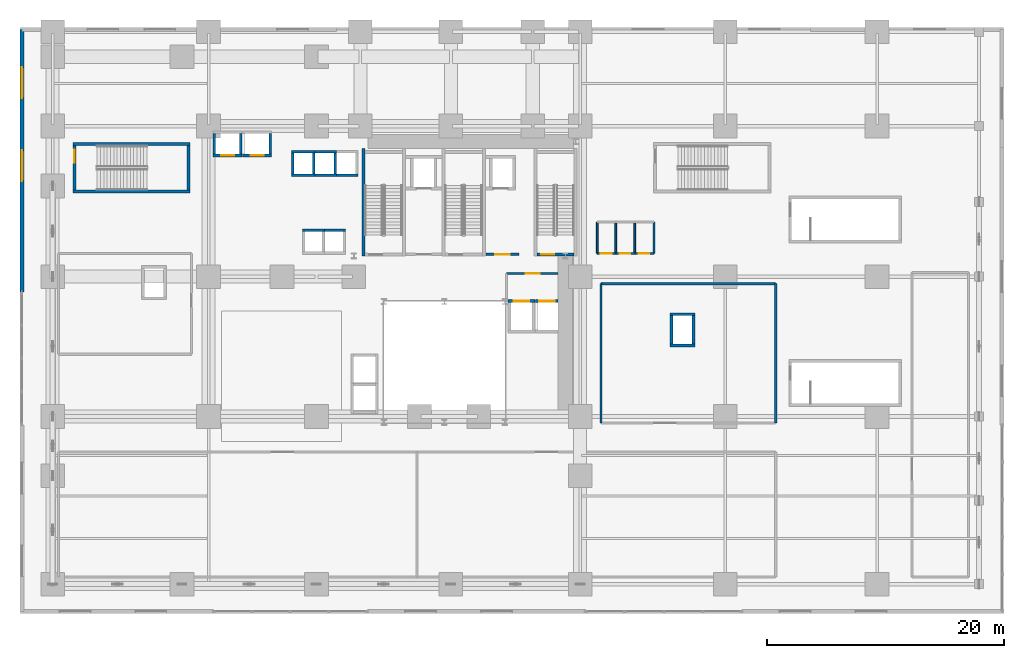
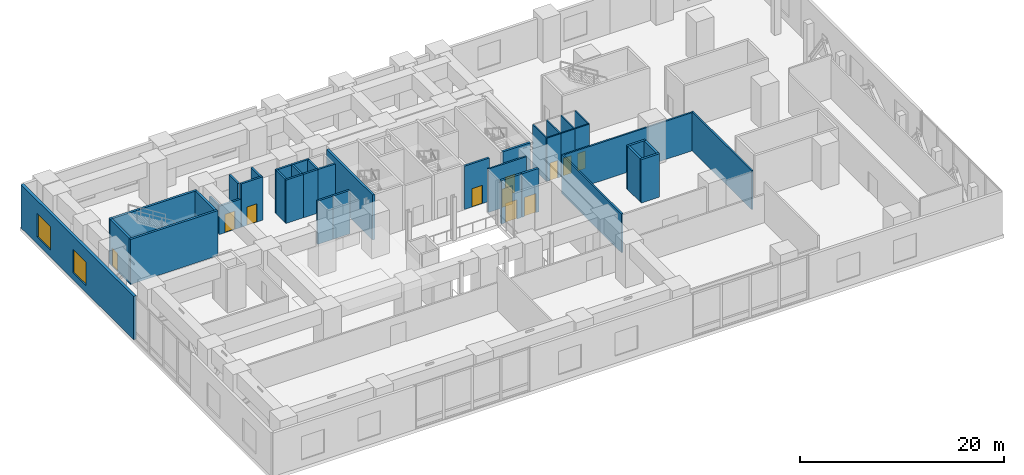
# One storey, part 12 of 17: 40 walls, 11 doors, 2 windows, 13 openings.
"""IFC4 building model written with IfcOpenShell, lengths in metres."""

from ifc_helpers import new_model, si_unit, direction, frame, frame_2d, origin, place, context, subcontext, project, spatial, rectangle, extrude, source, transform, mapped, material, layer, layer_set, type_object, element, fill, save


model = new_model("IFC4")

# Units and contexts
model_context = context("Model", 3, precision=1e-05, world=origin(), true_north=direction((0.0, 1.0)))
body_context = subcontext(model_context, "Body", "Model", "MODEL_VIEW")
ifc_project = project(units=[si_unit("LENGTHUNIT", "METRE"), si_unit("AREAUNIT", "SQUARE_METRE"), si_unit("VOLUMEUNIT", "CUBIC_METRE"), si_unit("PLANEANGLEUNIT", "RADIAN"), si_unit("MASSUNIT", "GRAM", prefix="KILO")], contexts=[model_context])

# Site, building, storey
site_placement = place(None, origin())
site = spatial("IfcSite", under=ifc_project, at=site_placement, CompositionType="ELEMENT")
building_placement = place(site_placement, origin())
building = spatial("IfcBuilding", under=site, at=building_placement, Name="Vardaveli Station Tower", CompositionType="ELEMENT")
storey_placement = place(building_placement, frame((0.0, 0.0, 11.39990234375)))
storey = spatial("IfcBuildingStorey", under=building, at=storey_placement, Name="L03", CompositionType="ELEMENT", Elevation=11.39990234375)

# Wall, openings, windows
ifc_material_1 = material(Name="Precast concrete C45/55", Category="concrete")
ifc_layer_1 = layer(ifc_material_1, 0.320068359375, Name="Precast concrete C45/55")
ifc_layer_set_1 = layer_set([ifc_layer_1], Name="Precast concrete C45/55")
wall_type_1 = type_object("IfcWallType", Name="WAL-EXT-STONE-320", PredefinedType="SOLIDWALL", material=ifc_layer_set_1)
shared_shape_1 = source(origin(), body_context, "Body", "SweptSolid", [
    extrude(rectangle(XDim=22.14990234375, YDim=0.320068359375, at=frame_2d((11.074951171875, 0.0))), origin(), (0.0, 0.0, 1.0), 5.2001953125),
])
wall_1_placement = place(storey_placement, frame((0.64990234375, 49.75, 0.0), z_axis=(0.0, 0.0, 1.0), x_axis=(0.0, -1.0, 0.0)))
wall_1 = element("IfcWall", 1, at=wall_1_placement, inside=storey, type_object=wall_type_1, Name="EW-L03-W3", PredefinedType="SOLIDWALL", context=body_context, shape_type="MappedRepresentation", body=[
    mapped(shared_shape_1, transform((0.0, 0.0, 0.0), scale=1.0)),
])
shared_shape_2 = source(origin(), body_context, "Body", "SweptSolid", [
    extrude(rectangle(XDim=2.60009765625, YDim=2.800048828125, at=frame_2d((1.300048828125, 1.39990234375))), frame((0.0, 0.169921875, 0.0), z_axis=(0.0, -1.0, 0.0), x_axis=(1.0, 0.0, 0.0)), (0.0, 0.0, 1.0), 0.340087890625),
])
opening_1_placement = place(wall_1_placement, frame((3.199951171875, 0.0, 0.85009765625)))
opening_1 = element("IfcOpeningElement", 2, at=opening_1_placement, cuts=wall_1, Name="Opening W-02", PredefinedType="OPENING", context=body_context, shape_type="MappedRepresentation", body=[
    mapped(shared_shape_2, transform((0.0, 0.0, 0.0), scale=1.0)),
])
opening_2_placement = place(wall_1_placement, frame((10.199951171875, 0.0, 0.85009765625)))
opening_2 = element("IfcOpeningElement", 3, at=opening_2_placement, cuts=wall_1, Name="Opening W-02", PredefinedType="OPENING", context=body_context, shape_type="MappedRepresentation", body=[
    mapped(shared_shape_2, transform((0.0, 0.0, 0.0), scale=1.0)),
])
ifc_material_2 = material(Name="Low-E solar-control glass", Category="glass")
window_type = type_object("IfcWindowType", Name="WIN-POD-2600x2800", PartitioningType="SINGLE_PANEL", PredefinedType="WINDOW", material=ifc_material_2)
shared_shape_3 = source(origin(), body_context, "Body", "SweptSolid", [
    extrude(rectangle(XDim=2.60009765625, YDim=2.800048828125, at=frame_2d((1.300048828125, 1.39990234375))), frame((0.0, 0.030029296875, 0.0), z_axis=(0.0, -1.0, 0.0), x_axis=(1.0, 0.0, 0.0)), (0.0, 0.0, 1.0), 0.06005859375),
])
window_1_placement = place(opening_1_placement, origin())
window_1 = element("IfcWindow", 4, at=window_1_placement, inside=storey, type_object=window_type, Name="WN-L03-W3A", OverallHeight=2.800048828125, OverallWidth=2.60009765625, PartitioningType="SINGLE_PANEL", PredefinedType="WINDOW", context=body_context, shape_type="MappedRepresentation", body=[
    mapped(shared_shape_3, transform((0.0, 0.0, 0.0), scale=1.0)),
])
fill(opening_1, window_1)
window_2_placement = place(opening_2_placement, origin())
window_2 = element("IfcWindow", 5, at=window_2_placement, inside=storey, type_object=window_type, Name="WN-L03-W3B", OverallHeight=2.800048828125, OverallWidth=2.60009765625, PartitioningType="SINGLE_PANEL", PredefinedType="WINDOW", context=body_context, shape_type="MappedRepresentation", body=[
    mapped(shared_shape_3, transform((0.0, 0.0, 0.0), scale=1.0)),
])
fill(opening_2, window_2)

# Wall
ifc_material_3 = material(Name="Concrete C40/50", Category="concrete")
ifc_layer_2 = layer(ifc_material_3, 0.25, Name="Concrete C40/50")
ifc_layer_set_2 = layer_set([ifc_layer_2], Name="Concrete C40/50")
wall_type_2 = type_object("IfcWallType", Name="WAL-SHAFT-250", PredefinedType="SOLIDWALL", material=ifc_layer_set_2)
shared_shape_4 = source(origin(), body_context, "Body", "SweptSolid", [
    extrude(rectangle(XDim=9.050048828125, YDim=0.25, at=frame_2d((4.52490234375, 0.0))), origin(), (0.0, 0.0, 1.0), 5.400146484375),
])
wall_2_placement = place(storey_placement, frame((29.47509765625, 30.64990234375, 0.0), z_axis=(0.0, 0.0, 1.0), x_axis=(0.0, 1.0, 0.0)))
element("IfcWall", 6, at=wall_2_placement, inside=storey, type_object=wall_type_2, Name="W-L03-ST-1W", PredefinedType="SOLIDWALL", context=body_context, shape_type="MappedRepresentation", body=[
    mapped(shared_shape_4, transform((0.0, 0.0, 0.0), scale=1.0)),
])

# Wall, opening, door
shared_shape_5 = source(origin(), body_context, "Body", "SweptSolid", [
    extrude(rectangle(XDim=3.14990234375, YDim=0.25, at=frame_2d((1.574951171875, 0.0))), origin(), (0.0, 0.0, 1.0), 5.400146484375),
])
wall_3_placement = place(storey_placement, frame((44.10009765625, 30.77490234375, 0.0), z_axis=(0.0, 0.0, 1.0), x_axis=(1.0, 0.0, 0.0)))
wall_3 = element("IfcWall", 7, at=wall_3_placement, inside=storey, type_object=wall_type_2, Name="W-L03-ST-3S", PredefinedType="SOLIDWALL", context=body_context, shape_type="MappedRepresentation", body=[
    mapped(shared_shape_5, transform((0.0, 0.0, 0.0), scale=1.0)),
])
shared_shape_6 = source(origin(), body_context, "Body", "SweptSolid", [
    extrude(rectangle(XDim=1.10009765625, YDim=2.199951171875, at=frame_2d((0.550048828125, 1.10009765625))), frame((0.0, 0.135009765625, 0.0), z_axis=(0.0, -1.0, 0.0), x_axis=(1.0, 0.0, 0.0)), (0.0, 0.0, 1.0), 0.27001953125),
])
opening_3_placement = place(wall_3_placement, frame((0.35009765625, 0.0, 0.0)))
opening_3 = element("IfcOpeningElement", 8, at=opening_3_placement, cuts=wall_3, Name="Opening D-04", PredefinedType="OPENING", context=body_context, shape_type="MappedRepresentation", body=[
    mapped(shared_shape_6, transform((0.0, 0.0, 0.0), scale=1.0)),
])
ifc_material_4 = material(Name="Steel smokeproof fire doorset", Category="steel")
door_type_1 = type_object("IfcDoorType", Name="DR-ST-1100x2200", OperationType="NOTDEFINED", PredefinedType="DOOR", material=ifc_material_4)
shared_shape_7 = source(origin(), body_context, "Body", "SweptSolid", [
    extrude(rectangle(XDim=1.10009765625, YDim=2.199951171875, at=frame_2d((0.550048828125, 1.10009765625))), frame((0.0, 0.02490234375, 0.0), z_axis=(0.0, -1.0, 0.0), x_axis=(1.0, 0.0, 0.0)), (0.0, 0.0, 1.0), 0.050048828125),
])
door_1_placement = place(opening_3_placement, origin())
door_1 = element("IfcDoor", 9, at=door_1_placement, inside=storey, type_object=door_type_1, Name="DST-3-L03", OperationType="SINGLE_SWING_LEFT", OverallHeight=2.199951171875, OverallWidth=1.10009765625, PredefinedType="DOOR", context=body_context, shape_type="MappedRepresentation", body=[
    mapped(shared_shape_7, transform((0.0, 0.0, 0.0), scale=1.0)),
])
fill(opening_3, door_1)

# Walls
shared_shape_8 = source(origin(), body_context, "Body", "SweptSolid", [
    extrude(rectangle(XDim=9.900146484375, YDim=0.25, at=frame_2d((4.9501953125, 0.0))), origin(), (0.0, 0.0, 1.0), 5.400146484375),
])
for number, where, z_axis, x_axis, name in (
    (10, (4.949951171875, 36.074951171875, 0.0), (0.0, 0.0, 1.0), (1.0, 0.0, 0.0), "W-L03-ST-P1S"),
    (11, (4.949951171875, 40.074951171875, 0.0), (0.0, 0.0, 1.0), (1.0, 0.0, 0.0), "W-L03-ST-P1N"),
):
    element("IfcWall", number, at=place(storey_placement, frame(where, z_axis=z_axis, x_axis=x_axis)), inside=storey, type_object=wall_type_2, Name=name, PredefinedType="SOLIDWALL", context=body_context, shape_type="MappedRepresentation", body=[
        mapped(shared_shape_8, transform((0.0, 0.0, 0.0), scale=1.0)),
    ])
shared_shape_9 = source(origin(), body_context, "Body", "SweptSolid", [
    extrude(rectangle(XDim=3.75, YDim=0.25, at=frame_2d((1.875, 0.0))), origin(), (0.0, 0.0, 1.0), 5.400146484375),
])
wall_4_placement = place(storey_placement, frame((14.72509765625, 36.199951171875, 0.0), z_axis=(0.0, 0.0, 1.0), x_axis=(0.0, 1.0, 0.0)))
element("IfcWall", 12, at=wall_4_placement, inside=storey, type_object=wall_type_2, Name="W-L03-ST-P1E", PredefinedType="SOLIDWALL", context=body_context, shape_type="MappedRepresentation", body=[
    mapped(shared_shape_9, transform((0.0, 0.0, 0.0), scale=1.0)),
])

# Wall, opening, door
wall_5_placement = place(storey_placement, frame((5.074951171875, 36.199951171875, 0.0), z_axis=(0.0, 0.0, 1.0), x_axis=(0.0, 1.0, 0.0)))
wall_5 = element("IfcWall", 13, at=wall_5_placement, inside=storey, type_object=wall_type_2, Name="W-L03-ST-P1W", PredefinedType="SOLIDWALL", context=body_context, shape_type="MappedRepresentation", body=[
    mapped(shared_shape_9, transform((0.0, 0.0, 0.0), scale=1.0)),
])
opening_4_placement = place(wall_5_placement, frame((2.300048828125, 0.0, 0.0)))
opening_4 = element("IfcOpeningElement", 14, at=opening_4_placement, cuts=wall_5, Name="Opening D-04", PredefinedType="OPENING", context=body_context, shape_type="MappedRepresentation", body=[
    mapped(shared_shape_6, transform((0.0, 0.0, 0.0), scale=1.0)),
])
door_2_placement = place(opening_4_placement, origin())
door_2 = element("IfcDoor", 15, at=door_2_placement, inside=storey, type_object=door_type_1, Name="DST-P1-L03", OperationType="SINGLE_SWING_RIGHT", OverallHeight=2.199951171875, OverallWidth=1.10009765625, PredefinedType="DOOR", context=body_context, shape_type="MappedRepresentation", body=[
    mapped(shared_shape_7, transform((0.0, 0.0, 0.0), scale=1.0)),
])
fill(opening_4, door_2)

ifc_layer_3 = layer(ifc_material_3, 0.219970703125, Name="Concrete C40/50")
ifc_layer_set_3 = layer_set([ifc_layer_3], Name="Concrete C40/50")
wall_type_3 = type_object("IfcWallType", Name="WAL-FFLOBBY-220", PredefinedType="SOLIDWALL", material=ifc_layer_set_3)
shared_shape_10 = source(origin(), body_context, "Body", "SweptSolid", [
    extrude(rectangle(XDim=2.800048828125, YDim=0.219970703125, at=frame_2d((1.39990234375, 0.0))), origin(), (0.0, 0.0, 1.0), 5.2001953125),
])
wall_6_placement = place(storey_placement, frame((39.800048828125, 30.780029296875, 0.0), z_axis=(0.0, 0.0, 1.0), x_axis=(1.0, 0.0, 0.0)))
wall_6 = element("IfcWall", 16, at=wall_6_placement, inside=storey, type_object=wall_type_3, Name="W-L03-FFL2S", PredefinedType="SOLIDWALL", context=body_context, shape_type="MappedRepresentation", body=[
    mapped(shared_shape_10, transform((0.0, 0.0, 0.0), scale=1.0)),
])
shared_shape_11 = source(origin(), body_context, "Body", "SweptSolid", [
    extrude(rectangle(XDim=1.199951171875, YDim=2.199951171875, at=frame_2d((0.60009765625, 1.10009765625))), frame((0.0, 0.1201171875, 0.0), z_axis=(0.0, -1.0, 0.0), x_axis=(1.0, 0.0, 0.0)), (0.0, 0.0, 1.0), 0.239990234375),
])
opening_5_placement = place(wall_6_placement, frame((0.800048828125, 0.0, 0.0)))
opening_5 = element("IfcOpeningElement", 17, at=opening_5_placement, cuts=wall_6, Name="Opening D-03", PredefinedType="OPENING", context=body_context, shape_type="MappedRepresentation", body=[
    mapped(shared_shape_11, transform((0.0, 0.0, 0.0), scale=1.0)),
])
door_type_2 = type_object("IfcDoorType", Name="DR-FFL-1200x2200", OperationType="NOTDEFINED", PredefinedType="DOOR", material=ifc_material_4)
shared_shape_12 = source(origin(), body_context, "Body", "SweptSolid", [
    extrude(rectangle(XDim=1.199951171875, YDim=2.199951171875, at=frame_2d((0.60009765625, 1.10009765625))), frame((0.0, 0.02490234375, 0.0), z_axis=(0.0, -1.0, 0.0), x_axis=(1.0, 0.0, 0.0)), (0.0, 0.0, 1.0), 0.050048828125),
])
door_3_placement = place(opening_5_placement, origin())
door_3 = element("IfcDoor", 18, at=door_3_placement, inside=storey, type_object=door_type_2, Name="DFFL2-L03", OperationType="SINGLE_SWING_RIGHT", OverallHeight=2.199951171875, OverallWidth=1.199951171875, PredefinedType="DOOR", context=body_context, shape_type="MappedRepresentation", body=[
    mapped(shared_shape_12, transform((0.0, 0.0, 0.0), scale=1.0)),
])
fill(opening_5, door_3)

# Walls
shared_shape_13 = source(origin(), body_context, "Body", "SweptSolid", [
    extrude(rectangle(XDim=2.400146484375, YDim=0.25, at=frame_2d((1.2001953125, 0.0))), origin(), (0.0, 0.0, 1.0), 5.2001953125),
])
for number, where, z_axis, x_axis, name in (
    (19, (55.47509765625, 23.199951171875, 0.0), (0.0, 0.0, 1.0), (0.0, 1.0, 0.0), "SHW-STN-02-L03-W"),
    (20, (57.324951171875, 23.199951171875, 0.0), (0.0, 0.0, 1.0), (0.0, 1.0, 0.0), "SHW-STN-02-L03-E"),
):
    element("IfcWall", number, at=place(storey_placement, frame(where, z_axis=z_axis, x_axis=x_axis)), inside=storey, type_object=wall_type_2, Name=name, PredefinedType="SOLIDWALL", context=body_context, shape_type="MappedRepresentation", body=[
        mapped(shared_shape_13, transform((0.0, 0.0, 0.0), scale=1.0)),
    ])
shared_shape_14 = source(origin(), body_context, "Body", "SweptSolid", [
    extrude(rectangle(XDim=2.099853515625, YDim=0.25, at=frame_2d((1.0498046875, 0.0))), origin(), (0.0, 0.0, 1.0), 5.2001953125),
])
for number, where, z_axis, x_axis, name in (
    (21, (55.35009765625, 23.074951171875, 0.0), (0.0, 0.0, 1.0), (1.0, 0.0, 0.0), "SHW-STN-02-L03-S"),
    (22, (55.35009765625, 25.72509765625, 0.0), (0.0, 0.0, 1.0), (1.0, 0.0, 0.0), "SHW-STN-02-L03-N"),
):
    element("IfcWall", number, at=place(storey_placement, frame(where, z_axis=z_axis, x_axis=x_axis)), inside=storey, type_object=wall_type_2, Name=name, PredefinedType="SOLIDWALL", context=body_context, shape_type="MappedRepresentation", body=[
        mapped(shared_shape_14, transform((0.0, 0.0, 0.0), scale=1.0)),
    ])

# Wall, opening, door
shared_shape_15 = source(origin(), body_context, "Body", "SweptSolid", [
    extrude(rectangle(XDim=2.43994140625, YDim=0.219970703125, at=frame_2d((1.219970703125, 0.0))), origin(), (0.0, 0.0, 1.0), 3.39208984375),
])
wall_7_placement = place(storey_placement, frame((16.780029296875, 39.114990234375, 0.0), z_axis=(0.0, 0.0, 1.0), x_axis=(1.0, 0.0, 0.0)))
wall_7 = element("IfcWall", 23, at=wall_7_placement, inside=storey, type_object=wall_type_3, Name="SHW-POD-01-L03-S", PredefinedType="SOLIDWALL", context=body_context, shape_type="MappedRepresentation", body=[
    mapped(shared_shape_15, transform((0.0, 0.0, 0.0), scale=1.0)),
])
shared_shape_16 = source(origin(), body_context, "Body", "SweptSolid", [
    extrude(rectangle(XDim=1.10009765625, YDim=2.199951171875, at=frame_2d((0.550048828125, 1.10009765625))), frame((0.0, 0.1201171875, 0.0), z_axis=(0.0, -1.0, 0.0), x_axis=(1.0, 0.0, 0.0)), (0.0, 0.0, 1.0), 0.239990234375),
])
opening_6_placement = place(wall_7_placement, frame((0.669921875, 0.0, 0.0)))
opening_6 = element("IfcOpeningElement", 24, at=opening_6_placement, cuts=wall_7, Name="Opening LD-01", PredefinedType="OPENING", context=body_context, shape_type="MappedRepresentation", body=[
    mapped(shared_shape_16, transform((0.0, 0.0, 0.0), scale=1.0)),
])
ifc_material_5 = material(Name="Brushed stainless steel", Category="steel")
door_type_3 = type_object("IfcDoorType", Name="DR-LD-1100x2200", OperationType="DOUBLE_DOOR_SLIDING", PredefinedType="DOOR", material=ifc_material_5)
door_4_placement = place(opening_6_placement, origin())
door_4 = element("IfcDoor", 25, at=door_4_placement, inside=storey, type_object=door_type_3, Name="LD-POD-01-L03", OperationType="DOUBLE_DOOR_SLIDING", OverallHeight=2.199951171875, OverallWidth=1.10009765625, PredefinedType="DOOR", context=body_context, shape_type="MappedRepresentation", body=[
    mapped(shared_shape_7, transform((0.0, 0.0, 0.0), scale=1.0)),
])
fill(opening_6, door_4)

# Walls
shared_shape_17 = source(origin(), body_context, "Body", "SweptSolid", [
    extrude(rectangle(XDim=1.75, YDim=0.219970703125, at=frame_2d((0.875, 0.0))), origin(), (0.0, 0.0, 1.0), 3.39208984375),
])
wall_8_placement = place(storey_placement, frame((16.889892578125, 39.22509765625, 0.0), z_axis=(0.0, 0.0, 1.0), x_axis=(0.0, 1.0, 0.0)))
element("IfcWall", 26, at=wall_8_placement, inside=storey, type_object=wall_type_3, Name="SHW-POD-01-L03-W", PredefinedType="SOLIDWALL", context=body_context, shape_type="MappedRepresentation", body=[
    mapped(shared_shape_17, transform((0.0, 0.0, 0.0), scale=1.0)),
])
shared_shape_18 = source(origin(), body_context, "Body", "SweptSolid", [
    extrude(rectangle(XDim=1.75, YDim=0.219970703125, at=frame_2d((0.875, 0.0))), origin(), (0.0, 0.0, 1.0), 5.2001953125),
])
for number, where, z_axis, x_axis, name in (
    (27, (19.110107421875, 39.22509765625, 0.0), (0.0, 0.0, 1.0), (0.0, 1.0, 0.0), "SHW-POD-01-L03-E"),
    (28, (21.610107421875, 39.22509765625, 0.0), (0.0, 0.0, 1.0), (0.0, 1.0, 0.0), "SHW-POD-02-L03-E"),
    (29, (23.514892578125, 37.574951171875, 0.0), (0.0, 0.0, 1.0), (0.0, 1.0, 0.0), "SHW-HL1-01-L03-W"),
    (30, (25.284912109375, 37.574951171875, 0.0), (0.0, 0.0, 1.0), (0.0, 1.0, 0.0), "SHW-HL1-01-L03-E"),
    (31, (27.0849609375, 37.574951171875, 0.0), (0.0, 0.0, 1.0), (0.0, 1.0, 0.0), "SHW-HL1-02-L03-E"),
):
    element("IfcWall", number, at=place(storey_placement, frame(where, z_axis=z_axis, x_axis=x_axis)), inside=storey, type_object=wall_type_3, Name=name, PredefinedType="SOLIDWALL", context=body_context, shape_type="MappedRepresentation", body=[
        mapped(shared_shape_18, transform((0.0, 0.0, 0.0), scale=1.0)),
    ])

# Wall, opening, door
shared_shape_19 = source(origin(), body_context, "Body", "SweptSolid", [
    extrude(rectangle(XDim=2.43994140625, YDim=0.219970703125, at=frame_2d((1.219970703125, 0.0))), origin(), (0.0, 0.0, 1.0), 5.2001953125),
])
wall_9_placement = place(storey_placement, frame((19.280029296875, 39.114990234375, 0.0), z_axis=(0.0, 0.0, 1.0), x_axis=(1.0, 0.0, 0.0)))
wall_9 = element("IfcWall", 32, at=wall_9_placement, inside=storey, type_object=wall_type_3, Name="SHW-POD-02-L03-S", PredefinedType="SOLIDWALL", context=body_context, shape_type="MappedRepresentation", body=[
    mapped(shared_shape_19, transform((0.0, 0.0, 0.0), scale=1.0)),
])
opening_7_placement = place(wall_9_placement, frame((0.669921875, 0.0, 0.0)))
opening_7 = element("IfcOpeningElement", 33, at=opening_7_placement, cuts=wall_9, Name="Opening LD-01", PredefinedType="OPENING", context=body_context, shape_type="MappedRepresentation", body=[
    mapped(shared_shape_16, transform((0.0, 0.0, 0.0), scale=1.0)),
])
door_5_placement = place(opening_7_placement, origin())
door_5 = element("IfcDoor", 34, at=door_5_placement, inside=storey, type_object=door_type_3, Name="LD-POD-02-L03", OperationType="DOUBLE_DOOR_SLIDING", OverallHeight=2.199951171875, OverallWidth=1.10009765625, PredefinedType="DOOR", context=body_context, shape_type="MappedRepresentation", body=[
    mapped(shared_shape_7, transform((0.0, 0.0, 0.0), scale=1.0)),
])
fill(opening_7, door_5)

# Walls
shared_shape_20 = source(origin(), body_context, "Body", "SweptSolid", [
    extrude(rectangle(XDim=1.989990234375, YDim=0.219970703125, at=frame_2d((0.9951171875, 0.0))), origin(), (0.0, 0.0, 1.0), 5.2001953125),
])
for number, where, z_axis, x_axis, name in (
    (35, (23.405029296875, 37.465087890625, 0.0), (0.0, 0.0, 1.0), (1.0, 0.0, 0.0), "SHW-HL1-01-L03-S"),
    (36, (23.405029296875, 39.43505859375, 0.0), (0.0, 0.0, 1.0), (1.0, 0.0, 0.0), "SHW-HL1-01-L03-N"),
    (37, (25.205078125, 37.465087890625, 0.0), (0.0, 0.0, 1.0), (1.0, 0.0, 0.0), "SHW-HL1-02-L03-S"),
    (38, (25.205078125, 39.43505859375, 0.0), (0.0, 0.0, 1.0), (1.0, 0.0, 0.0), "SHW-HL1-02-L03-N"),
):
    element("IfcWall", number, at=place(storey_placement, frame(where, z_axis=z_axis, x_axis=x_axis)), inside=storey, type_object=wall_type_3, Name=name, PredefinedType="SOLIDWALL", context=body_context, shape_type="MappedRepresentation", body=[
        mapped(shared_shape_20, transform((0.0, 0.0, 0.0), scale=1.0)),
    ])
shared_shape_21 = source(origin(), body_context, "Body", "SweptSolid", [
    extrude(rectangle(XDim=1.990234375, YDim=0.219970703125, at=frame_2d((0.9951171875, 0.0))), origin(), (0.0, 0.0, 1.0), 5.2001953125),
])
wall_10_placement = place(storey_placement, frame((27.0048828125, 37.465087890625, 0.0), z_axis=(0.0, 0.0, 1.0), x_axis=(1.0, 0.0, 0.0)))
element("IfcWall", 39, at=wall_10_placement, inside=storey, type_object=wall_type_3, Name="SHW-HL1-03-L03-S", PredefinedType="SOLIDWALL", context=body_context, shape_type="MappedRepresentation", body=[
    mapped(shared_shape_21, transform((0.0, 0.0, 0.0), scale=1.0)),
])
shared_shape_22 = source(origin(), body_context, "Body", "SweptSolid", [
    extrude(rectangle(XDim=1.89013671875, YDim=0.219970703125, at=frame_2d((0.945068359375, 0.0))), origin(), (0.0, 0.0, 1.0), 5.2001953125),
])
for number, where, z_axis, x_axis, name in (
    (40, (24.304931640625, 32.81005859375, 0.0), (0.0, 0.0, 1.0), (1.0, 0.0, 0.0), "SHW-SHU-01-L03-N"),
    (41, (26.054931640625, 32.81005859375, 0.0), (0.0, 0.0, 1.0), (1.0, 0.0, 0.0), "SHW-SHU-02-L03-N"),
):
    element("IfcWall", number, at=place(storey_placement, frame(where, z_axis=z_axis, x_axis=x_axis)), inside=storey, type_object=wall_type_3, Name=name, PredefinedType="SOLIDWALL", context=body_context, shape_type="MappedRepresentation", body=[
        mapped(shared_shape_22, transform((0.0, 0.0, 0.0), scale=1.0)),
    ])

# Wall, opening, door
shared_shape_23 = source(origin(), body_context, "Body", "SweptSolid", [
    extrude(rectangle(XDim=2.300048828125, YDim=0.25, at=frame_2d((1.14990234375, 0.0))), origin(), (0.0, 0.0, 1.0), 5.2001953125),
])
wall_11_placement = place(storey_placement, frame((41.64990234375, 26.824951171875, 0.0), z_axis=(0.0, 0.0, 1.0), x_axis=(1.0, 0.0, 0.0)))
wall_11 = element("IfcWall", 42, at=wall_11_placement, inside=storey, type_object=wall_type_2, Name="SHW-SRV-01-L03-N", PredefinedType="SOLIDWALL", context=body_context, shape_type="MappedRepresentation", body=[
    mapped(shared_shape_23, transform((0.0, 0.0, 0.0), scale=1.0)),
])
shared_shape_24 = source(origin(), body_context, "Body", "SweptSolid", [
    extrude(rectangle(XDim=1.300048828125, YDim=2.300048828125, at=frame_2d((0.64990234375, 1.14990234375))), frame((0.0, 0.135009765625, 0.0), z_axis=(0.0, -1.0, 0.0), x_axis=(1.0, 0.0, 0.0)), (0.0, 0.0, 1.0), 0.27001953125),
])
opening_8_placement = place(wall_11_placement, frame((0.5, 0.0, 0.0)))
opening_8 = element("IfcOpeningElement", 43, at=opening_8_placement, cuts=wall_11, Name="Opening LD-03", PredefinedType="OPENING", context=body_context, shape_type="MappedRepresentation", body=[
    mapped(shared_shape_24, transform((0.0, 0.0, 0.0), scale=1.0)),
])
door_type_4 = type_object("IfcDoorType", Name="DR-LD-1300x2300", OperationType="DOUBLE_DOOR_SLIDING", PredefinedType="DOOR", material=ifc_material_5)
shared_shape_25 = source(origin(), body_context, "Body", "SweptSolid", [
    extrude(rectangle(XDim=1.300048828125, YDim=2.300048828125, at=frame_2d((0.64990234375, 1.14990234375))), frame((0.0, 0.02490234375, 0.0), z_axis=(0.0, -1.0, 0.0), x_axis=(1.0, 0.0, 0.0)), (0.0, 0.0, 1.0), 0.050048828125),
])
door_6_placement = place(opening_8_placement, origin())
door_6 = element("IfcDoor", 44, at=door_6_placement, inside=storey, type_object=door_type_4, Name="LD-SRV-01-L03", OperationType="DOUBLE_DOOR_SLIDING", OverallHeight=2.300048828125, OverallWidth=1.300048828125, PredefinedType="DOOR", context=body_context, shape_type="MappedRepresentation", body=[
    mapped(shared_shape_25, transform((0.0, 0.0, 0.0), scale=1.0)),
])
fill(opening_8, door_6)

shared_shape_26 = source(origin(), body_context, "Body", "SweptSolid", [
    extrude(rectangle(XDim=1.89990234375, YDim=0.25, at=frame_2d((0.949951171875, 0.0))), origin(), (0.0, 0.0, 1.0), 5.2001953125),
])
wall_12_placement = place(storey_placement, frame((44.0, 26.824951171875, 0.0), z_axis=(0.0, 0.0, 1.0), x_axis=(1.0, 0.0, 0.0)))
wall_12 = element("IfcWall", 45, at=wall_12_placement, inside=storey, type_object=wall_type_2, Name="SHW-SRV-02-L03-N", PredefinedType="SOLIDWALL", context=body_context, shape_type="MappedRepresentation", body=[
    mapped(shared_shape_26, transform((0.0, 0.0, 0.0), scale=1.0)),
])
opening_9_placement = place(wall_12_placement, frame((0.300048828125, 0.0, 0.0)))
opening_9 = element("IfcOpeningElement", 46, at=opening_9_placement, cuts=wall_12, Name="Opening LD-03", PredefinedType="OPENING", context=body_context, shape_type="MappedRepresentation", body=[
    mapped(shared_shape_24, transform((0.0, 0.0, 0.0), scale=1.0)),
])
door_7_placement = place(opening_9_placement, origin())
door_7 = element("IfcDoor", 47, at=door_7_placement, inside=storey, type_object=door_type_4, Name="LD-SRV-02-L03", OperationType="DOUBLE_DOOR_SLIDING", OverallHeight=2.300048828125, OverallWidth=1.300048828125, PredefinedType="DOOR", context=body_context, shape_type="MappedRepresentation", body=[
    mapped(shared_shape_25, transform((0.0, 0.0, 0.0), scale=1.0)),
])
fill(opening_9, door_7)

# Wall
ifc_material_6 = material(Name="Fire-rated gypsum stud partition")
ifc_layer_4 = layer(ifc_material_6, 0.179931640625, Name="Fire-rated gypsum stud partition")
ifc_layer_set_4 = layer_set([ifc_layer_4], Name="Fire-rated gypsum stud partition")
wall_type_4 = type_object("IfcWallType", Name="WAL-CORR-180", PredefinedType="PARTITIONING", material=ifc_layer_set_4)
shared_shape_27 = source(origin(), body_context, "Body", "SweptSolid", [
    extrude(rectangle(XDim=14.75, YDim=0.179931640625, at=frame_2d((7.375, 0.0))), origin(), (0.0, 0.0, 1.0), 4.592041015625),
])
wall_13_placement = place(storey_placement, frame((49.5, 28.300048828125, 0.0), z_axis=(0.0, 0.0, 1.0), x_axis=(1.0, 0.0, 0.0)))
element("IfcWall", 48, at=wall_13_placement, inside=storey, type_object=wall_type_4, Name="W-L03-MN3-N", PredefinedType="PARTITIONING", context=body_context, shape_type="MappedRepresentation", body=[
    mapped(shared_shape_27, transform((0.0, 0.0, 0.0), scale=1.0)),
])

# Wall, opening, door
shared_shape_28 = source(origin(), body_context, "Body", "SweptSolid", [
    extrude(rectangle(XDim=4.347900390625, YDim=0.179931640625, at=frame_2d((2.173828125, 0.0))), origin(), (0.0, 0.0, 1.0), 5.2001953125),
])
wall_14_placement = place(storey_placement, frame((41.550048828125, 29.14990234375, 0.0), z_axis=(0.0, 0.0, 1.0), x_axis=(1.0, 0.0, 0.0)))
wall_14 = element("IfcWall", 49, at=wall_14_placement, inside=storey, type_object=wall_type_4, Name="W-L03-SVFN", PredefinedType="PARTITIONING", context=body_context, shape_type="MappedRepresentation", body=[
    mapped(shared_shape_28, transform((0.0, 0.0, 0.0), scale=1.0)),
])
shared_shape_29 = source(origin(), body_context, "Body", "SweptSolid", [
    extrude(rectangle(XDim=1.199951171875, YDim=2.199951171875, at=frame_2d((0.60009765625, 1.10009765625))), frame((0.0, 0.10009765625, 0.0), z_axis=(0.0, -1.0, 0.0), x_axis=(1.0, 0.0, 0.0)), (0.0, 0.0, 1.0), 0.199951171875),
])
opening_10_placement = place(wall_14_placement, frame((1.60009765625, 0.0, 0.0)))
opening_10 = element("IfcOpeningElement", 50, at=opening_10_placement, cuts=wall_14, Name="Opening D-03", PredefinedType="OPENING", context=body_context, shape_type="MappedRepresentation", body=[
    mapped(shared_shape_29, transform((0.0, 0.0, 0.0), scale=1.0)),
])
door_8_placement = place(opening_10_placement, origin())
door_8 = element("IfcDoor", 51, at=door_8_placement, inside=storey, type_object=door_type_2, Name="D-L03-SVF", OperationType="SINGLE_SWING_RIGHT", OverallHeight=2.199951171875, OverallWidth=1.199951171875, PredefinedType="DOOR", context=body_context, shape_type="MappedRepresentation", body=[
    mapped(shared_shape_12, transform((0.0, 0.0, 0.0), scale=1.0)),
])
fill(opening_10, door_8)

ifc_material_7 = material(Name="Moisture-resistant stud partition")
ifc_layer_5 = layer(ifc_material_7, 0.14990234375, Name="Moisture-resistant stud partition")
ifc_layer_set_5 = layer_set([ifc_layer_5], Name="Moisture-resistant stud partition")
wall_type_5 = type_object("IfcWallType", Name="WAL-WET-150", PredefinedType="PARTITIONING", material=ifc_layer_set_5)
shared_shape_30 = source(origin(), body_context, "Body", "SweptSolid", [
    extrude(rectangle(XDim=1.619873046875, YDim=0.14990234375, at=frame_2d((0.81005859375, 0.0))), origin(), (0.0, 0.0, 1.0), 5.2001953125),
])
wall_15_placement = place(storey_placement, frame((52.360107421875, 30.85009765625, 0.0), z_axis=(0.0, 0.0, 1.0), x_axis=(1.0, 0.0, 0.0)))
wall_15 = element("IfcWall", 52, at=wall_15_placement, inside=storey, type_object=wall_type_5, Name="W-L03-WCF-S", PredefinedType="PARTITIONING", context=body_context, shape_type="MappedRepresentation", body=[
    mapped(shared_shape_30, transform((0.0, 0.0, 0.0), scale=1.0)),
])
shared_shape_31 = source(origin(), body_context, "Body", "SweptSolid", [
    extrude(rectangle(XDim=0.919921875, YDim=2.10009765625, at=frame_2d((0.4599609375, 1.050048828125))), frame((0.0, 0.0849609375, 0.0), z_axis=(0.0, -1.0, 0.0), x_axis=(1.0, 0.0, 0.0)), (0.0, 0.0, 1.0), 0.169921875),
])
opening_11_placement = place(wall_15_placement, frame((0.320068359375, 0.0, 0.0)))
opening_11 = element("IfcOpeningElement", 53, at=opening_11_placement, cuts=wall_15, Name="Opening D-07", PredefinedType="OPENING", context=body_context, shape_type="MappedRepresentation", body=[
    mapped(shared_shape_31, transform((0.0, 0.0, 0.0), scale=1.0)),
])
ifc_material_8 = material(Name="Moisture-resistant hardwood door", Category="wood")
door_type_5 = type_object("IfcDoorType", Name="DR-WC-920x2100", OperationType="NOTDEFINED", PredefinedType="DOOR", material=ifc_material_8)
shared_shape_32 = source(origin(), body_context, "Body", "SweptSolid", [
    extrude(rectangle(XDim=0.919921875, YDim=2.10009765625, at=frame_2d((0.4599609375, 1.050048828125))), frame((0.0, 0.02490234375, 0.0), z_axis=(0.0, -1.0, 0.0), x_axis=(1.0, 0.0, 0.0)), (0.0, 0.0, 1.0), 0.050048828125),
])
door_9_placement = place(opening_11_placement, origin())
door_9 = element("IfcDoor", 54, at=door_9_placement, inside=storey, type_object=door_type_5, Name="D-L03-WCF", OperationType="SINGLE_SWING_LEFT", OverallHeight=2.10009765625, OverallWidth=0.919921875, PredefinedType="DOOR", context=body_context, shape_type="MappedRepresentation", body=[
    mapped(shared_shape_32, transform((0.0, 0.0, 0.0), scale=1.0)),
])
fill(opening_11, door_9)

shared_shape_33 = source(origin(), body_context, "Body", "SweptSolid", [
    extrude(rectangle(XDim=1.610107421875, YDim=0.14990234375, at=frame_2d((0.80517578125, 0.0))), origin(), (0.0, 0.0, 1.0), 5.2001953125),
])
wall_16_placement = place(storey_placement, frame((50.75, 30.85009765625, 0.0), z_axis=(0.0, 0.0, 1.0), x_axis=(1.0, 0.0, 0.0)))
wall_16 = element("IfcWall", 55, at=wall_16_placement, inside=storey, type_object=wall_type_5, Name="W-L03-WCM-S", PredefinedType="PARTITIONING", context=body_context, shape_type="MappedRepresentation", body=[
    mapped(shared_shape_33, transform((0.0, 0.0, 0.0), scale=1.0)),
])
opening_12_placement = place(wall_16_placement, frame((0.320068359375, 0.0, 0.0)))
opening_12 = element("IfcOpeningElement", 56, at=opening_12_placement, cuts=wall_16, Name="Opening D-07", PredefinedType="OPENING", context=body_context, shape_type="MappedRepresentation", body=[
    mapped(shared_shape_31, transform((0.0, 0.0, 0.0), scale=1.0)),
])
door_10_placement = place(opening_12_placement, origin())
door_10 = element("IfcDoor", 57, at=door_10_placement, inside=storey, type_object=door_type_5, Name="D-L03-WCM", OperationType="SINGLE_SWING_RIGHT", OverallHeight=2.10009765625, OverallWidth=0.919921875, PredefinedType="DOOR", context=body_context, shape_type="MappedRepresentation", body=[
    mapped(shared_shape_32, transform((0.0, 0.0, 0.0), scale=1.0)),
])
fill(opening_12, door_10)

shared_shape_34 = source(origin(), body_context, "Body", "SweptSolid", [
    extrude(rectangle(XDim=1.550048828125, YDim=0.14990234375, at=frame_2d((0.77490234375, 0.0))), origin(), (0.0, 0.0, 1.0), 5.2001953125),
])
wall_17_placement = place(storey_placement, frame((49.199951171875, 30.85009765625, 0.0), z_axis=(0.0, 0.0, 1.0), x_axis=(1.0, 0.0, 0.0)))
wall_17 = element("IfcWall", 58, at=wall_17_placement, inside=storey, type_object=wall_type_5, Name="W-L03-WCA-S", PredefinedType="PARTITIONING", context=body_context, shape_type="MappedRepresentation", body=[
    mapped(shared_shape_34, transform((0.0, 0.0, 0.0), scale=1.0)),
])
opening_13_placement = place(wall_17_placement, frame((0.300048828125, 0.0, 0.0)))
opening_13 = element("IfcOpeningElement", 59, at=opening_13_placement, cuts=wall_17, Name="Opening D-07", PredefinedType="OPENING", context=body_context, shape_type="MappedRepresentation", body=[
    mapped(shared_shape_31, transform((0.0, 0.0, 0.0), scale=1.0)),
])
door_11_placement = place(opening_13_placement, origin())
door_11 = element("IfcDoor", 60, at=door_11_placement, inside=storey, type_object=door_type_5, Name="D-L03-WCA", OperationType="SINGLE_SWING_LEFT", OverallHeight=2.10009765625, OverallWidth=0.919921875, PredefinedType="DOOR", context=body_context, shape_type="MappedRepresentation", body=[
    mapped(shared_shape_32, transform((0.0, 0.0, 0.0), scale=1.0)),
])
fill(opening_13, door_11)

# Walls
shared_shape_35 = source(origin(), body_context, "Body", "SweptSolid", [
    extrude(rectangle(XDim=11.75, YDim=0.179931640625, at=frame_2d((5.875, 0.0))), origin(), (0.0, 0.0, 1.0), 4.668212890625),
])
for number, where, z_axis, x_axis, name in (
    (61, (49.5, 16.550048828125, 0.0), (0.0, 0.0, 1.0), (0.0, 1.0, 0.0), "W-L03-MN3-W"),
    (62, (64.25, 16.550048828125, 0.0), (0.0, 0.0, 1.0), (0.0, 1.0, 0.0), "W-L03-MN3-E"),
):
    element("IfcWall", number, at=place(storey_placement, frame(where, z_axis=z_axis, x_axis=x_axis)), inside=storey, type_object=wall_type_4, Name=name, PredefinedType="PARTITIONING", context=body_context, shape_type="MappedRepresentation", body=[
        mapped(shared_shape_35, transform((0.0, 0.0, 0.0), scale=1.0)),
    ])
shared_shape_36 = source(origin(), body_context, "Body", "SweptSolid", [
    extrude(rectangle(XDim=2.64990234375, YDim=0.14990234375, at=frame_2d((1.324951171875, 0.0))), origin(), (0.0, 0.0, 1.0), 5.2001953125),
])
for number, where, z_axis, x_axis, name in (
    (63, (49.199951171875, 30.85009765625, 0.0), (0.0, 0.0, 1.0), (0.0, 1.0, 0.0), "W-L03-WCA-W"),
    (64, (50.75, 30.85009765625, 0.0), (0.0, 0.0, 1.0), (0.0, 1.0, 0.0), "W-L03-WCA-E"),
    (65, (52.360107421875, 30.85009765625, 0.0), (0.0, 0.0, 1.0), (0.0, 1.0, 0.0), "W-L03-WCM-E"),
    (66, (53.97998046875, 30.85009765625, 0.0), (0.0, 0.0, 1.0), (0.0, 1.0, 0.0), "W-L03-WCF-E"),
):
    element("IfcWall", number, at=place(storey_placement, frame(where, z_axis=z_axis, x_axis=x_axis)), inside=storey, type_object=wall_type_5, Name=name, PredefinedType="PARTITIONING", context=body_context, shape_type="MappedRepresentation", body=[
        mapped(shared_shape_36, transform((0.0, 0.0, 0.0), scale=1.0)),
    ])

save(model, "model.ifc")
